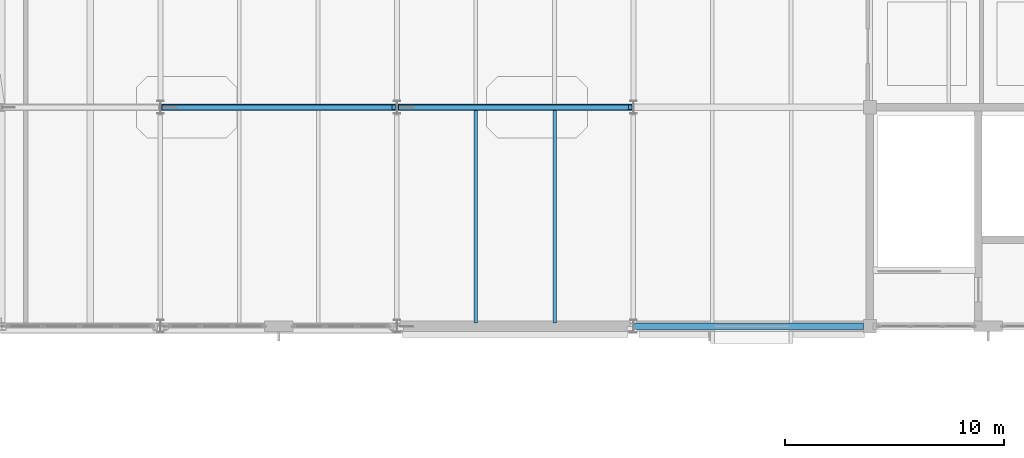
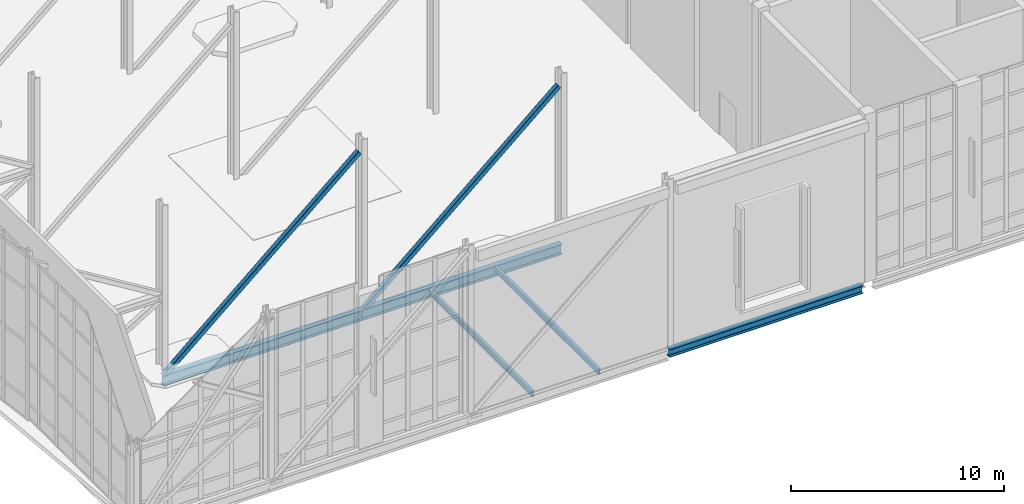
# One storey, part 16 of 100: 5 beams, 2 members.
"""IFC4 building model written with IfcOpenShell, lengths in metres."""

from ifc_helpers import new_model, si_unit, direction, frame, origin, origin_2d, place, context, subcontext, project, spatial, hollow_rectangle, i_section, extrude, material, material_profile, profile_set, type_object, element, save


model = new_model("IFC4")

# Units and contexts
model_context = context("Model", 3, precision=1e-05, world=origin(), true_north=direction((0.0, 1.0)))
body_context = subcontext(model_context, "Body", "Model", "MODEL_VIEW")
ifc_project = project(units=[si_unit("LENGTHUNIT", "METRE"), si_unit("AREAUNIT", "SQUARE_METRE"), si_unit("VOLUMEUNIT", "CUBIC_METRE"), si_unit("PLANEANGLEUNIT", "RADIAN"), si_unit("MASSUNIT", "GRAM", prefix="KILO")], contexts=[model_context])

# Site, building, storey
site_placement = place(None, origin())
site = spatial("IfcSite", under=ifc_project, at=site_placement, CompositionType="ELEMENT")
building_placement = place(site_placement, origin())
building = spatial("IfcBuilding", under=site, at=building_placement, Name="Tasgan Crest Museum", CompositionType="ELEMENT")
storey_placement = place(building_placement, frame((0.0, 0.0, 14.39990234375)))
storey = spatial("IfcBuildingStorey", under=building, at=storey_placement, Name="L03", CompositionType="ELEMENT", Elevation=14.39990234375)

# Beams
ifc_material_1 = material(Name="Steel S355K2", Category="steel")
ifc_material_profile_1 = material_profile(ifc_material_1, i_section(OverallWidth=0.300048828125, OverallDepth=0.60009765625, WebThickness=0.015380859375, FlangeThickness=0.030029296875, FilletRadius=0.027099609375, at=origin_2d()), Name="HEB 600")
ifc_profile_set_1 = profile_set([ifc_material_profile_1], Name="Steel S355K2")
beam_type_1 = type_object("IfcBeamType", Name="BM-CANT-G1", PredefinedType="BEAM", material=ifc_profile_set_1)
for number, where, z_axis, x_axis, name in (
    (1, (10.806396484375, 50.0, -0.559814453125), (1.0, 0.0, 0.0), (0.0, 1.0, 0.0), "Transfer back-span girder 1 MID F"),
    (2, (21.6064453125, 50.0, -0.559814453125), (1.0, 0.0, 0.0), (0.0, 1.0, 0.0), "Transfer back-span girder 2 MID F"),
):
    element("IfcBeam", number, at=place(storey_placement, frame(where, z_axis=z_axis, x_axis=x_axis)), inside=storey, type_object=beam_type_1, Name=name, PredefinedType="BEAM", context=body_context, shape_type="SweptSolid", body=[
        extrude(i_section(OverallWidth=0.300048828125, OverallDepth=0.60009765625, WebThickness=0.015380859375, FlangeThickness=0.030029296875, FilletRadius=0.027099609375, at=origin_2d()), origin(), (0.0, 0.0, 1.0), 10.787109375),
    ])
ifc_material_2 = material(Name="Steel S355J2", Category="steel")
ifc_material_profile_2 = material_profile(ifc_material_2, i_section(OverallWidth=0.300048828125, OverallDepth=0.449951171875, WebThickness=0.013916015625, FlangeThickness=0.02587890625, FilletRadius=0.027099609375, at=origin_2d()), Name="HEB 450")
ifc_profile_set_2 = profile_set([ifc_material_profile_2], Name="Steel S355J2")
beam_type_2 = type_object("IfcBeamType", Name="BM-G-HEB450", PredefinedType="BEAM", material=ifc_profile_set_2)
beam_placement = place(storey_placement, frame((32.406494140625, 40.0, -0.48486328125), z_axis=(1.0, 0.0, 0.0), x_axis=(0.0, 1.0, 0.0)))
element("IfcBeam", 3, at=beam_placement, inside=storey, type_object=beam_type_2, Name="Girder L03 E 32.4-43.2", PredefinedType="BEAM", context=body_context, shape_type="SweptSolid", body=[
    extrude(i_section(OverallWidth=0.300048828125, OverallDepth=0.449951171875, WebThickness=0.013916015625, FlangeThickness=0.02587890625, FilletRadius=0.027099609375, at=origin_2d()), origin(), (0.0, 0.0, 1.0), 10.49755859375),
])
ifc_material_3 = material(Name="Steel S355J2", Category="steel")
ifc_material_profile_3 = material_profile(ifc_material_3, i_section(OverallWidth=0.159912109375, OverallDepth=0.330078125, WebThickness=0.007568359375, FlangeThickness=0.011474609375, FilletRadius=0.01806640625, at=origin_2d()), Name="IPE 330")
ifc_profile_set_3 = profile_set([ifc_material_profile_3], Name="Steel S355J2")
beam_type_3 = type_object("IfcBeamType", Name="BM-J-IPE330", PredefinedType="JOIST", material=ifc_profile_set_3)
for number, where, z_axis, x_axis, name in (
    (4, (25.199951171875, 40.14501953125, -0.4248046875), (0.0, 1.0, 0.0), (-1.0, 0.0, 0.0), "Secondary joist L03 X=25.2 Y=40.0-50.0"),
    (5, (28.800048828125, 40.14501953125, -0.4248046875), (0.0, 1.0, 0.0), (-1.0, 0.0, 0.0), "Secondary joist L03 X=28.8 Y=40.0-50.0"),
):
    element("IfcBeam", number, at=place(storey_placement, frame(where, z_axis=z_axis, x_axis=x_axis)), inside=storey, type_object=beam_type_3, Name=name, PredefinedType="JOIST", context=body_context, shape_type="SweptSolid", body=[
        extrude(i_section(OverallWidth=0.159912109375, OverallDepth=0.330078125, WebThickness=0.007568359375, FlangeThickness=0.011474609375, FilletRadius=0.01806640625, at=origin_2d()), origin(), (0.0, 0.0, 1.0), 9.7099609375),
    ])

# Members
ifc_material_4 = material(Name="Steel S355K2", Category="steel")
ifc_material_profile_4 = material_profile(ifc_material_4, hollow_rectangle(XDim=0.260009765625, YDim=0.260009765625, WallThickness=0.01416015625, InnerFilletRadius=0.01416015625, OuterFilletRadius=0.0283203125, at=origin_2d()), Name="SHS 260x260x14.2")
ifc_profile_set_4 = profile_set([ifc_material_profile_4], Name="Steel S355K2")
member_type = type_object("IfcMemberType", Name="TR-CANT-DIAG", PredefinedType="BRACE", material=ifc_profile_set_4)
for number, where, z_axis, x_axis, name in (
    (6, (10.949951171875, 50.0, -0.27978515625), (0.757121387748, 0.0, 0.653274218237), (0.0, 1.0, 0.0), "Transfer truss diagonal L03 F-2"),
    (7, (21.75, 50.0, -0.27978515625), (0.757121387748, 0.0, 0.653274218237), (0.0, 1.0, 0.0), "Transfer truss diagonal L03 F-3"),
):
    element("IfcMember", number, at=place(storey_placement, frame(where, z_axis=z_axis, x_axis=x_axis)), inside=storey, type_object=member_type, Name=name, PredefinedType="BRACE", context=body_context, shape_type="SweptSolid", body=[
        extrude(hollow_rectangle(XDim=0.260009765625, YDim=0.260009765625, WallThickness=0.01416015625, InnerFilletRadius=0.01416015625, OuterFilletRadius=0.0283203125, at=origin_2d()), origin(), (0.0, 0.0, 1.0), 13.868408203125),
    ])

save(model, "model.ifc")
